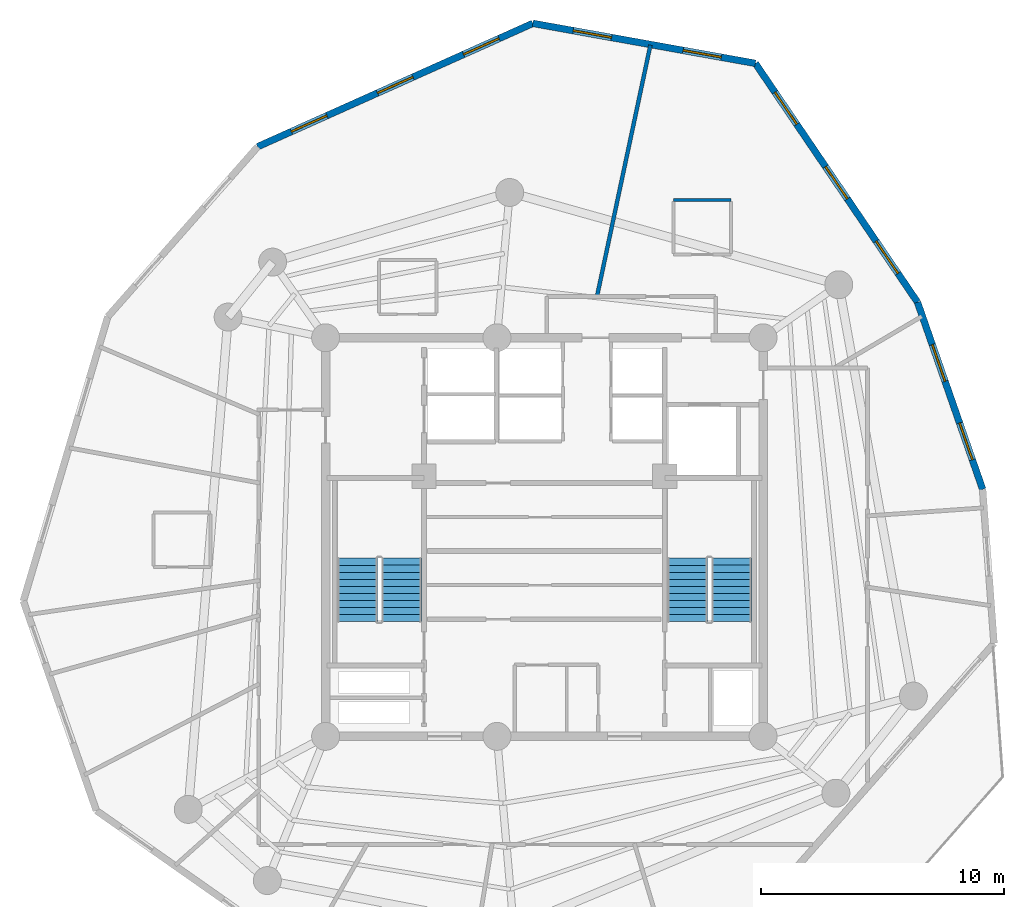
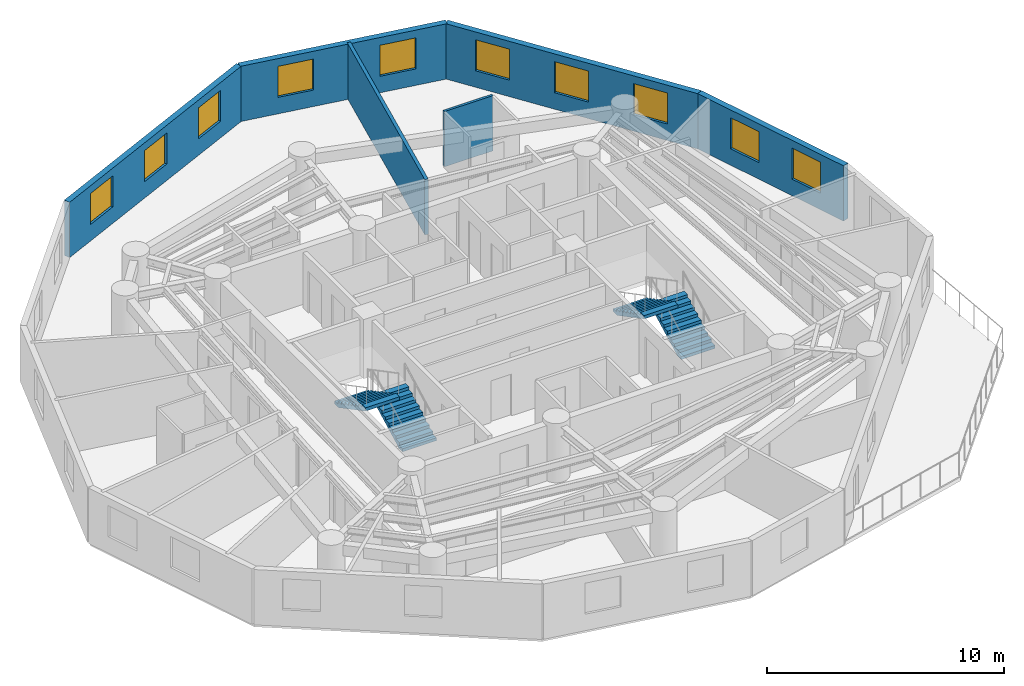
# One storey, part 6 of 7: 10 windows, 6 walls, 4 stair flights, 10 openings, 2 elements without a shape of their own.
"""IFC4 building model written with IfcOpenShell, lengths in metres."""

from ifc_helpers import new_model, si_unit, direction, frame, frame_2d, origin, origin_with_axes, place, context, subcontext, project, spatial, polyline, rectangle, outline, extrude, source, transform, mapped, material, layer, layer_set, type_object, element, fill, aggregate, save


model = new_model("IFC4")

# Units and contexts
model_context = context("Model", 3, precision=1e-05, world=origin(), true_north=direction((0.0, 1.0)))
body_context = subcontext(model_context, "Body", "Model", "MODEL_VIEW")
ifc_project = project(units=[si_unit("LENGTHUNIT", "METRE"), si_unit("AREAUNIT", "SQUARE_METRE"), si_unit("VOLUMEUNIT", "CUBIC_METRE"), si_unit("PLANEANGLEUNIT", "RADIAN"), si_unit("MASSUNIT", "GRAM", prefix="KILO")], contexts=[model_context])

# Site, building, storey
site_placement = place(None, origin())
site = spatial("IfcSite", under=ifc_project, at=site_placement, CompositionType="ELEMENT")
building_placement = place(site_placement, origin())
building = spatial("IfcBuilding", under=site, at=building_placement, Name="Karkom Vertical University and Central Library", CompositionType="ELEMENT")
storey_placement = place(building_placement, frame((0.0, 0.0, 235.199951171875)))
storey = spatial("IfcBuildingStorey", under=building, at=storey_placement, Name="L69", CompositionType="ELEMENT", Elevation=235.199951171875)

# Wall, openings, windows
ifc_material_1 = material(Name="Brick-faced precast concrete C45/55", Category="masonry")
ifc_layer_1 = layer(ifc_material_1, 0.280029296875)
ifc_layer_set_1 = layer_set([ifc_layer_1], Name="Brick-faced precast concrete C45/55")
wall_type_1 = type_object("IfcWallType", Name="ENV-WL-BRK-280", PredefinedType="SOLIDWALL", material=ifc_layer_set_1)
wall_1_placement = place(storey_placement, frame((46.534912109375, 28.464599609375, 0.0), z_axis=(0.0, 0.0, 1.0), x_axis=(-0.328877219654, 0.944372688292, 0.0)))
wall_1 = element("IfcWall", 1, at=wall_1_placement, inside=storey, type_object=wall_type_1, Name="Level 69 Brick-Faced Precast Facade Wall 06", PredefinedType="SOLIDWALL", context=body_context, shape_type="SweptSolid", body=[
    extrude(rectangle(XDim=8.151611328125, YDim=0.280029296875, at=frame_2d((4.07568359375, 0.0))), origin(), (0.0, 0.0, 1.0), 2.85009765625),
])
opening_1_placement = place(wall_1_placement, frame((1.288818359375, 0.0, 0.85009765625)))
opening_1 = element("IfcOpeningElement", 2, at=opening_1_placement, cuts=wall_1, Name="Opening WN-10", PredefinedType="OPENING", context=body_context, shape_type="SweptSolid", body=[
    extrude(rectangle(XDim=1.60009765625, YDim=1.60009765625, at=frame_2d((0.800048828125, 0.800048828125))), frame((0.0, 0.14990234375, 0.0), z_axis=(0.0, -1.0, 0.0), x_axis=(1.0, 0.0, 0.0)), (0.0, 0.0, 1.0), 0.300048828125),
])
opening_2_placement = place(wall_1_placement, frame((4.706298828125, 0.0, 0.85009765625)))
opening_2 = element("IfcOpeningElement", 3, at=opening_2_placement, cuts=wall_1, Name="Opening WN-10", PredefinedType="OPENING", context=body_context, shape_type="SweptSolid", body=[
    extrude(rectangle(XDim=1.60009765625, YDim=1.60009765625, at=frame_2d((0.800048828125, 0.800048828125))), frame((0.0, 0.14990234375, 0.0), z_axis=(0.0, -1.0, 0.0), x_axis=(1.0, 0.0, 0.0)), (0.0, 0.0, 1.0), 0.300048828125),
])
ifc_material_2 = material(Name="Aluminium thermal-break frame with solar-control IGU", Category="aluminium")
window_type = type_object("IfcWindowType", Name="ENV-WIN-WN-10", PartitioningType="SINGLE_PANEL", PredefinedType="WINDOW", material=ifc_material_2)
shared_shape = source(origin_with_axes(), body_context, "Body", "SweptSolid", [
    extrude(rectangle(XDim=1.60009765625, YDim=1.60009765625, at=frame_2d((0.800048828125, 0.800048828125))), frame((0.0, 0.030029296875, 0.0), z_axis=(0.0, -1.0, 0.0), x_axis=(1.0, 0.0, 0.0)), (0.0, 0.0, 1.0), 0.06005859375),
])
window_1_placement = place(opening_1_placement, origin())
window_1 = element("IfcWindow", 4, at=window_1_placement, inside=storey, type_object=window_type, Name="Level 69 Punched Window 6.1", OverallHeight=1.60009765625, OverallWidth=1.60009765625, PartitioningType="SINGLE_PANEL", PredefinedType="WINDOW", context=body_context, shape_type="MappedRepresentation", body=[
    mapped(shared_shape, transform((0.0, 0.0, 0.0), scale=1.0)),
])
fill(opening_1, window_1)
window_2_placement = place(opening_2_placement, origin())
window_2 = element("IfcWindow", 5, at=window_2_placement, inside=storey, type_object=window_type, Name="Level 69 Punched Window 6.2", OverallHeight=1.60009765625, OverallWidth=1.60009765625, PartitioningType="SINGLE_PANEL", PredefinedType="WINDOW", context=body_context, shape_type="MappedRepresentation", body=[
    mapped(shared_shape, transform((0.0, 0.0, 0.0), scale=1.0)),
])
fill(opening_2, window_2)

wall_2_placement = place(storey_placement, frame((43.85400390625, 36.162841796875, 0.0), z_axis=(0.0, 0.0, 1.0), x_axis=(-0.561648682989, 0.827375825666, 0.0)))
wall_2 = element("IfcWall", 6, at=wall_2_placement, inside=storey, type_object=wall_type_1, Name="Level 69 Brick-Faced Precast Facade Wall 07", PredefinedType="SOLIDWALL", context=body_context, shape_type="SweptSolid", body=[
    extrude(rectangle(XDim=11.877685546875, YDim=0.280029296875, at=frame_2d((5.93896484375, 0.0))), origin(), (0.0, 0.0, 1.0), 2.85009765625),
])
opening_3_placement = place(wall_2_placement, frame((1.43310546875, 0.0, 0.85009765625)))
opening_3 = element("IfcOpeningElement", 7, at=opening_3_placement, cuts=wall_2, Name="Opening WN-10", PredefinedType="OPENING", context=body_context, shape_type="SweptSolid", body=[
    extrude(rectangle(XDim=1.60009765625, YDim=1.60009765625, at=frame_2d((0.800048828125, 0.800048828125))), frame((0.0, 0.14990234375, 0.0), z_axis=(0.0, -1.0, 0.0), x_axis=(1.0, 0.0, 0.0)), (0.0, 0.0, 1.0), 0.300048828125),
])
opening_4_placement = place(wall_2_placement, frame((5.138916015625, 0.0, 0.85009765625)))
opening_4 = element("IfcOpeningElement", 8, at=opening_4_placement, cuts=wall_2, Name="Opening WN-10", PredefinedType="OPENING", context=body_context, shape_type="SweptSolid", body=[
    extrude(rectangle(XDim=1.60009765625, YDim=1.60009765625, at=frame_2d((0.800048828125, 0.800048828125))), frame((0.0, 0.14990234375, 0.0), z_axis=(0.0, -1.0, 0.0), x_axis=(1.0, 0.0, 0.0)), (0.0, 0.0, 1.0), 0.300048828125),
])
opening_5_placement = place(wall_2_placement, frame((8.844970703125, 0.0, 0.85009765625)))
opening_5 = element("IfcOpeningElement", 9, at=opening_5_placement, cuts=wall_2, Name="Opening WN-10", PredefinedType="OPENING", context=body_context, shape_type="SweptSolid", body=[
    extrude(rectangle(XDim=1.60009765625, YDim=1.60009765625, at=frame_2d((0.800048828125, 0.800048828125))), frame((0.0, 0.14990234375, 0.0), z_axis=(0.0, -1.0, 0.0), x_axis=(1.0, 0.0, 0.0)), (0.0, 0.0, 1.0), 0.300048828125),
])
window_3_placement = place(opening_3_placement, origin())
window_3 = element("IfcWindow", 10, at=window_3_placement, inside=storey, type_object=window_type, Name="Level 69 Punched Window 7.1", OverallHeight=1.60009765625, OverallWidth=1.60009765625, PartitioningType="SINGLE_PANEL", PredefinedType="WINDOW", context=body_context, shape_type="MappedRepresentation", body=[
    mapped(shared_shape, transform((0.0, 0.0, 0.0), scale=1.0)),
])
fill(opening_3, window_3)
window_4_placement = place(opening_4_placement, origin())
window_4 = element("IfcWindow", 11, at=window_4_placement, inside=storey, type_object=window_type, Name="Level 69 Punched Window 7.2", OverallHeight=1.60009765625, OverallWidth=1.60009765625, PartitioningType="SINGLE_PANEL", PredefinedType="WINDOW", context=body_context, shape_type="MappedRepresentation", body=[
    mapped(shared_shape, transform((0.0, 0.0, 0.0), scale=1.0)),
])
fill(opening_4, window_4)
window_5_placement = place(opening_5_placement, origin())
window_5 = element("IfcWindow", 12, at=window_5_placement, inside=storey, type_object=window_type, Name="Level 69 Punched Window 7.3", OverallHeight=1.60009765625, OverallWidth=1.60009765625, PartitioningType="SINGLE_PANEL", PredefinedType="WINDOW", context=body_context, shape_type="MappedRepresentation", body=[
    mapped(shared_shape, transform((0.0, 0.0, 0.0), scale=1.0)),
])
fill(opening_5, window_5)

wall_3_placement = place(storey_placement, frame((37.182861328125, 45.990234375, 0.0), z_axis=(0.0, 0.0, 1.0), x_axis=(-0.984240187571, 0.176836798124, 0.0)))
wall_3 = element("IfcWall", 13, at=wall_3_placement, inside=storey, type_object=wall_type_1, Name="Level 69 Brick-Faced Precast Facade Wall 08", PredefinedType="SOLIDWALL", context=body_context, shape_type="SweptSolid", body=[
    extrude(rectangle(XDim=9.303955078125, YDim=0.280029296875, at=frame_2d((4.65185546875, 0.0))), origin(), (0.0, 0.0, 1.0), 2.85009765625),
])
opening_6_placement = place(wall_3_placement, frame((1.422607421875, 0.0, 0.85009765625)))
opening_6 = element("IfcOpeningElement", 14, at=opening_6_placement, cuts=wall_3, Name="Opening WN-10", PredefinedType="OPENING", context=body_context, shape_type="SweptSolid", body=[
    extrude(rectangle(XDim=1.60009765625, YDim=1.60009765625, at=frame_2d((0.800048828125, 0.800048828125))), frame((0.0, 0.14990234375, 0.0), z_axis=(0.0, -1.0, 0.0), x_axis=(1.0, 0.0, 0.0)), (0.0, 0.0, 1.0), 0.300048828125),
])
opening_7_placement = place(wall_3_placement, frame((6.014404296875, 0.0, 0.85009765625)))
opening_7 = element("IfcOpeningElement", 15, at=opening_7_placement, cuts=wall_3, Name="Opening WN-10", PredefinedType="OPENING", context=body_context, shape_type="SweptSolid", body=[
    extrude(rectangle(XDim=1.60009765625, YDim=1.60009765625, at=frame_2d((0.800048828125, 0.800048828125))), frame((0.0, 0.14990234375, 0.0), z_axis=(0.0, -1.0, 0.0), x_axis=(1.0, 0.0, 0.0)), (0.0, 0.0, 1.0), 0.300048828125),
])
window_6_placement = place(opening_6_placement, origin())
window_6 = element("IfcWindow", 16, at=window_6_placement, inside=storey, type_object=window_type, Name="Level 69 Punched Window 8.1", OverallHeight=1.60009765625, OverallWidth=1.60009765625, PartitioningType="SINGLE_PANEL", PredefinedType="WINDOW", context=body_context, shape_type="MappedRepresentation", body=[
    mapped(shared_shape, transform((0.0, 0.0, 0.0), scale=1.0)),
])
fill(opening_6, window_6)
window_7_placement = place(opening_7_placement, origin())
window_7 = element("IfcWindow", 17, at=window_7_placement, inside=storey, type_object=window_type, Name="Level 69 Punched Window 8.2", OverallHeight=1.60009765625, OverallWidth=1.60009765625, PartitioningType="SINGLE_PANEL", PredefinedType="WINDOW", context=body_context, shape_type="MappedRepresentation", body=[
    mapped(shared_shape, transform((0.0, 0.0, 0.0), scale=1.0)),
])
fill(opening_7, window_7)

wall_4_placement = place(storey_placement, frame((28.025634765625, 47.635498046875, 0.0), z_axis=(0.0, 0.0, 1.0), x_axis=(-0.91256503297, -0.408931608707, 0.0)))
wall_4 = element("IfcWall", 18, at=wall_4_placement, inside=storey, type_object=wall_type_1, Name="Level 69 Brick-Faced Precast Facade Wall 09", PredefinedType="SOLIDWALL", context=body_context, shape_type="SweptSolid", body=[
    extrude(rectangle(XDim=12.407958984375, YDim=0.280029296875, at=frame_2d((6.2041015625, 0.0))), origin(), (0.0, 0.0, 1.0), 2.85009765625),
])
opening_8_placement = place(wall_4_placement, frame((1.521240234375, 0.0, 0.85009765625)))
opening_8 = element("IfcOpeningElement", 19, at=opening_8_placement, cuts=wall_4, Name="Opening WN-10", PredefinedType="OPENING", context=body_context, shape_type="SweptSolid", body=[
    extrude(rectangle(XDim=1.60009765625, YDim=1.60009765625, at=frame_2d((0.800048828125, 0.800048828125))), frame((0.0, 0.14990234375, 0.0), z_axis=(0.0, -1.0, 0.0), x_axis=(1.0, 0.0, 0.0)), (0.0, 0.0, 1.0), 0.300048828125),
])
opening_9_placement = place(wall_4_placement, frame((5.404052734375, 0.0, 0.85009765625)))
opening_9 = element("IfcOpeningElement", 20, at=opening_9_placement, cuts=wall_4, Name="Opening WN-10", PredefinedType="OPENING", context=body_context, shape_type="SweptSolid", body=[
    extrude(rectangle(XDim=1.60009765625, YDim=1.60009765625, at=frame_2d((0.800048828125, 0.800048828125))), frame((0.0, 0.14990234375, 0.0), z_axis=(0.0, -1.0, 0.0), x_axis=(1.0, 0.0, 0.0)), (0.0, 0.0, 1.0), 0.300048828125),
])
opening_10_placement = place(wall_4_placement, frame((9.28662109375, 0.0, 0.85009765625)))
opening_10 = element("IfcOpeningElement", 21, at=opening_10_placement, cuts=wall_4, Name="Opening WN-10", PredefinedType="OPENING", context=body_context, shape_type="SweptSolid", body=[
    extrude(rectangle(XDim=1.60009765625, YDim=1.60009765625, at=frame_2d((0.800048828125, 0.800048828125))), frame((0.0, 0.14990234375, 0.0), z_axis=(0.0, -1.0, 0.0), x_axis=(1.0, 0.0, 0.0)), (0.0, 0.0, 1.0), 0.300048828125),
])
window_8_placement = place(opening_8_placement, origin())
window_8 = element("IfcWindow", 22, at=window_8_placement, inside=storey, type_object=window_type, Name="Level 69 Punched Window 9.1", OverallHeight=1.60009765625, OverallWidth=1.60009765625, PartitioningType="SINGLE_PANEL", PredefinedType="WINDOW", context=body_context, shape_type="MappedRepresentation", body=[
    mapped(shared_shape, transform((0.0, 0.0, 0.0), scale=1.0)),
])
fill(opening_8, window_8)
window_9_placement = place(opening_9_placement, origin())
window_9 = element("IfcWindow", 23, at=window_9_placement, inside=storey, type_object=window_type, Name="Level 69 Punched Window 9.2", OverallHeight=1.60009765625, OverallWidth=1.60009765625, PartitioningType="SINGLE_PANEL", PredefinedType="WINDOW", context=body_context, shape_type="MappedRepresentation", body=[
    mapped(shared_shape, transform((0.0, 0.0, 0.0), scale=1.0)),
])
fill(opening_9, window_9)
window_10_placement = place(opening_10_placement, origin())
window_10 = element("IfcWindow", 24, at=window_10_placement, inside=storey, type_object=window_type, Name="Level 69 Punched Window 9.3", OverallHeight=1.60009765625, OverallWidth=1.60009765625, PartitioningType="SINGLE_PANEL", PredefinedType="WINDOW", context=body_context, shape_type="MappedRepresentation", body=[
    mapped(shared_shape, transform((0.0, 0.0, 0.0), scale=1.0)),
])
fill(opening_10, window_10)

# Walls
ifc_material_3 = material(Name="Insulated metal-stud drywall 160mm", Category="gypsum")
ifc_layer_2 = layer(ifc_material_3, 0.159912109375)
ifc_layer_set_2 = layer_set([ifc_layer_2], Name="Insulated metal-stud drywall 160mm")
wall_type_2 = type_object("IfcWallType", Name="INT-WL-COR-160", PredefinedType="PARTITIONING", material=ifc_layer_set_2)
wall_5_placement = place(storey_placement, frame((30.659423828125, 36.37060546875, 0.0), z_axis=(0.0, 0.0, 1.0), x_axis=(0.207921550164, 0.978145505013, 0.0)))
element("IfcWall", 25, at=wall_5_placement, inside=storey, type_object=wall_type_2, Name="Level 69 Interior Partition Wall L69-PW-011", PredefinedType="PARTITIONING", context=body_context, shape_type="SweptSolid", body=[
    extrude(rectangle(XDim=10.601806640625, YDim=0.159912109375, at=frame_2d((5.30078125, 0.0))), origin(), (0.0, 0.0, 1.0), 2.85009765625),
])
ifc_material_4 = material(Name="Moisture-resistant drywall 120mm", Category="gypsum")
ifc_layer_3 = layer(ifc_material_4, 0.1201171875)
ifc_layer_set_3 = layer_set([ifc_layer_3], Name="Moisture-resistant drywall 120mm")
wall_type_3 = type_object("IfcWallType", Name="INT-WL-INT-120F", PredefinedType="PARTITIONING", material=ifc_layer_set_3)
wall_6_placement = place(storey_placement, frame((36.174072265625, 40.363037109375, 0.0), z_axis=(0.0, 0.0, 1.0), x_axis=(-1.0, 0.0, 0.0)))
element("IfcWall", 26, at=wall_6_placement, inside=storey, type_object=wall_type_3, Name="Level 69 Interior Partition Wall L69-ENS-50-N", PredefinedType="PARTITIONING", context=body_context, shape_type="SweptSolid", body=[
    extrude(rectangle(XDim=2.360107421875, YDim=0.1201171875, at=frame_2d((1.18017578125, 0.0))), origin(), (0.0, 0.0, 1.0), 2.85009765625),
])

# Stair, stair flights
ifc_material_5 = material(Name="Concrete C45/55", Category="concrete")
stair_type = type_object("IfcStairType", Name="INT-STR-ST-MAIN", PredefinedType="HALF_TURN_STAIR", material=ifc_material_5)
stair_1_placement = place(storey_placement, origin())
stair_1 = element("IfcStair", 27, at=stair_1_placement, inside=storey, type_object=stair_type, Name="Level 69 Tower Protected Exit Stair ST-1", PredefinedType="HALF_TURN_STAIR")
stair_flight_type = type_object("IfcStairFlightType", Name="INT-SFL-ST-MAIN", PredefinedType="STRAIGHT", material=ifc_material_5)
stair_flight_1_placement = place(storey_placement, frame((22.614990234375, 23.02001953125, 0.0), z_axis=(0.0, 0.0, 1.0), x_axis=(0.0, 1.0, 0.0)))
stair_flight_1 = element("IfcStairFlight", 28, at=stair_flight_1_placement, type_object=stair_flight_type, Name="ST-1 flight 1", NumberOfRisers=10, NumberOfTreads=9, PredefinedType="STRAIGHT", RiserHeight=0.1525, TreadLength=0.29, context=body_context, shape_type="SweptSolid", body=[
    extrude(outline(polyline([(0.0, 0.0), (0.0, 0.152587890625), (0.2900390625, 0.152587890625), (0.2900390625, 0.304931640625), (0.580078125, 0.304931640625), (0.580078125, 0.45751953125), (0.8701171875, 0.45751953125), (0.8701171875, 0.610107421875), (1.159912109375, 0.610107421875), (1.159912109375, 0.762451171875), (1.449951171875, 0.762451171875), (1.449951171875, 0.9150390625), (1.739990234375, 0.9150390625), (1.739990234375, 1.0673828125), (2.030029296875, 1.0673828125), (2.030029296875, 1.219970703125), (2.320068359375, 1.219970703125), (2.320068359375, 1.37255859375), (2.610107421875, 1.37255859375), (2.610107421875, 1.52490234375), (2.610107421875, 1.203125), (0.322021484375, 0.0), (0.0, 0.0)])), frame((0.0, 0.824951171875, 0.0), z_axis=(0.0, -1.0, 0.0), x_axis=(1.0, 0.0, 0.0)), (0.0, 0.0, 1.0), 1.64990234375),
])
stair_flight_2_placement = place(storey_placement, frame((20.804931640625, 25.6298828125, 1.525146484375), z_axis=(0.0, 0.0, 1.0), x_axis=(0.0, -1.0, 0.0)))
stair_flight_2 = element("IfcStairFlight", 29, at=stair_flight_2_placement, type_object=stair_flight_type, Name="ST-1 flight 2", NumberOfRisers=10, NumberOfTreads=9, PredefinedType="STRAIGHT", RiserHeight=0.1525, TreadLength=0.29, context=body_context, shape_type="SweptSolid", body=[
    extrude(outline(polyline([(0.0, 0.0), (0.0, 0.152587890625), (0.2900390625, 0.152587890625), (0.2900390625, 0.304931640625), (0.580078125, 0.304931640625), (0.580078125, 0.45751953125), (0.8701171875, 0.45751953125), (0.8701171875, 0.610107421875), (1.159912109375, 0.610107421875), (1.159912109375, 0.762451171875), (1.449951171875, 0.762451171875), (1.449951171875, 0.9150390625), (1.739990234375, 0.9150390625), (1.739990234375, 1.0673828125), (2.030029296875, 1.0673828125), (2.030029296875, 1.219970703125), (2.320068359375, 1.219970703125), (2.320068359375, 1.37255859375), (2.610107421875, 1.37255859375), (2.610107421875, 1.52490234375), (2.610107421875, 1.203125), (0.322021484375, 0.0), (0.0, 0.0)])), frame((0.0, 0.824951171875, 0.0), z_axis=(0.0, -1.0, 0.0), x_axis=(1.0, 0.0, 0.0)), (0.0, 0.0, 1.0), 1.64990234375),
])
aggregate(stair_1, [stair_flight_1, stair_flight_2])

stair_2_placement = place(storey_placement, origin())
stair_2 = element("IfcStair", 30, at=stair_2_placement, inside=storey, type_object=stair_type, Name="Level 69 Tower Protected Exit Stair ST-2", PredefinedType="HALF_TURN_STAIR")
stair_flight_3_placement = place(storey_placement, frame((36.195068359375, 23.02001953125, 0.0), z_axis=(0.0, 0.0, 1.0), x_axis=(0.0, 1.0, 0.0)))
stair_flight_3 = element("IfcStairFlight", 31, at=stair_flight_3_placement, type_object=stair_flight_type, Name="ST-2 flight 1", NumberOfRisers=10, NumberOfTreads=9, PredefinedType="STRAIGHT", RiserHeight=0.1525, TreadLength=0.29, context=body_context, shape_type="SweptSolid", body=[
    extrude(outline(polyline([(0.0, 0.0), (0.0, 0.152587890625), (0.2900390625, 0.152587890625), (0.2900390625, 0.304931640625), (0.580078125, 0.304931640625), (0.580078125, 0.45751953125), (0.8701171875, 0.45751953125), (0.8701171875, 0.610107421875), (1.159912109375, 0.610107421875), (1.159912109375, 0.762451171875), (1.449951171875, 0.762451171875), (1.449951171875, 0.9150390625), (1.739990234375, 0.9150390625), (1.739990234375, 1.0673828125), (2.030029296875, 1.0673828125), (2.030029296875, 1.219970703125), (2.320068359375, 1.219970703125), (2.320068359375, 1.37255859375), (2.610107421875, 1.37255859375), (2.610107421875, 1.52490234375), (2.610107421875, 1.203125), (0.322021484375, 0.0), (0.0, 0.0)])), frame((0.0, 0.824951171875, 0.0), z_axis=(0.0, -1.0, 0.0), x_axis=(1.0, 0.0, 0.0)), (0.0, 0.0, 1.0), 1.64990234375),
])
stair_flight_4_placement = place(storey_placement, frame((34.385009765625, 25.6298828125, 1.525146484375), z_axis=(0.0, 0.0, 1.0), x_axis=(0.0, -1.0, 0.0)))
stair_flight_4 = element("IfcStairFlight", 32, at=stair_flight_4_placement, type_object=stair_flight_type, Name="ST-2 flight 2", NumberOfRisers=10, NumberOfTreads=9, PredefinedType="STRAIGHT", RiserHeight=0.1525, TreadLength=0.29, context=body_context, shape_type="SweptSolid", body=[
    extrude(outline(polyline([(0.0, 0.0), (0.0, 0.152587890625), (0.2900390625, 0.152587890625), (0.2900390625, 0.304931640625), (0.580078125, 0.304931640625), (0.580078125, 0.45751953125), (0.8701171875, 0.45751953125), (0.8701171875, 0.610107421875), (1.159912109375, 0.610107421875), (1.159912109375, 0.762451171875), (1.449951171875, 0.762451171875), (1.449951171875, 0.9150390625), (1.739990234375, 0.9150390625), (1.739990234375, 1.0673828125), (2.030029296875, 1.0673828125), (2.030029296875, 1.219970703125), (2.320068359375, 1.219970703125), (2.320068359375, 1.37255859375), (2.610107421875, 1.37255859375), (2.610107421875, 1.52490234375), (2.610107421875, 1.203125), (0.322021484375, 0.0), (0.0, 0.0)])), frame((0.0, 0.824951171875, 0.0), z_axis=(0.0, -1.0, 0.0), x_axis=(1.0, 0.0, 0.0)), (0.0, 0.0, 1.0), 1.64990234375),
])
aggregate(stair_2, [stair_flight_3, stair_flight_4])

save(model, "model.ifc")
